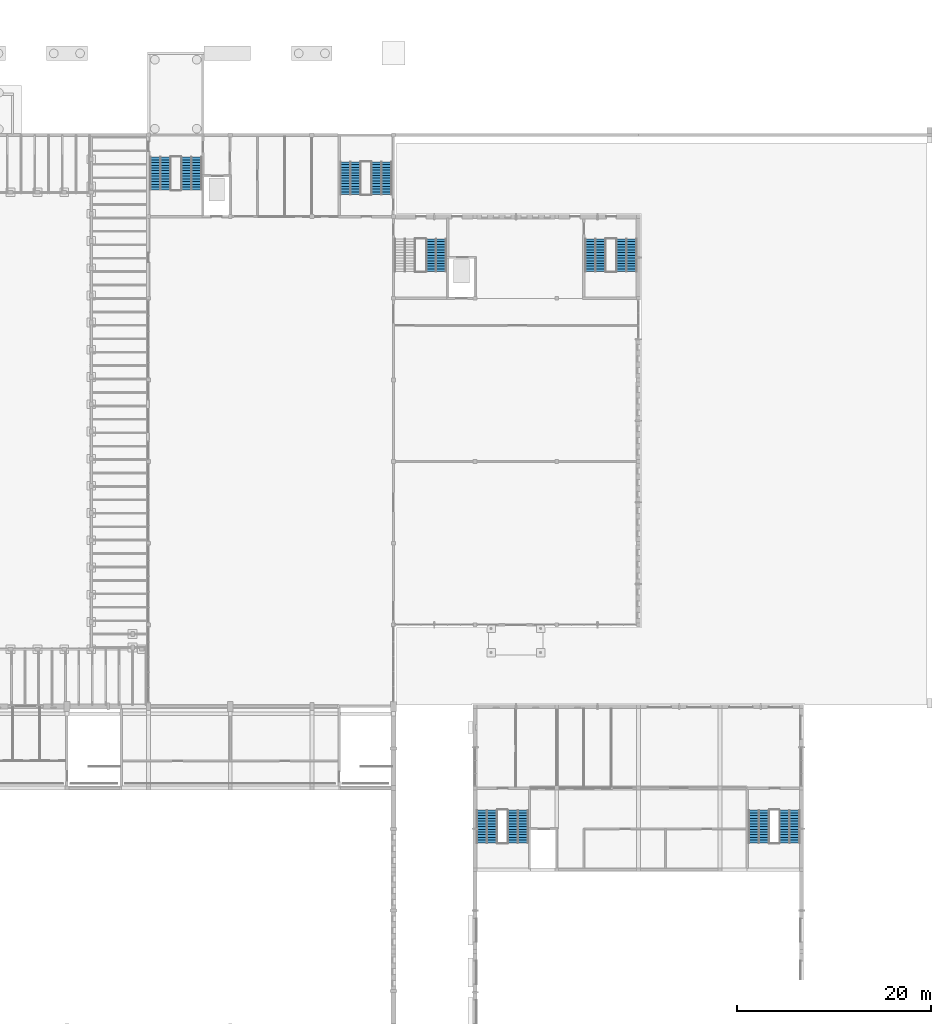
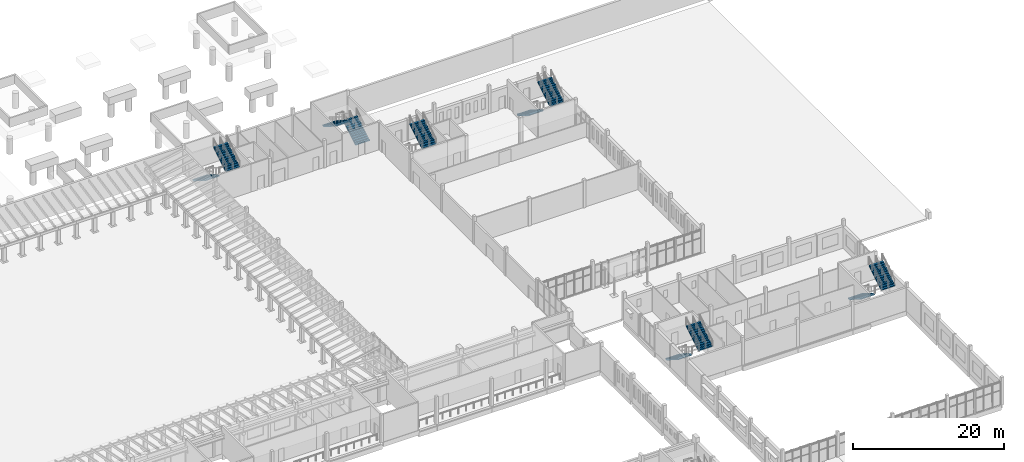
# One storey, part 50 of 60: 11 stair flights, 6 elements without a shape of their own.
"""IFC4 building model written with IfcOpenShell, lengths in metres."""

from ifc_helpers import new_model, si_unit, direction, frame, origin, place, context, subcontext, project, spatial, polyline, outline, extrude, material, type_object, element, aggregate, save


model = new_model("IFC4")

# Units and contexts
model_context = context("Model", 3, precision=1e-05, world=origin(), true_north=direction((0.0, 1.0)))
body_context = subcontext(model_context, "Body", "Model", "MODEL_VIEW")
ifc_project = project(units=[si_unit("LENGTHUNIT", "METRE"), si_unit("AREAUNIT", "SQUARE_METRE"), si_unit("VOLUMEUNIT", "CUBIC_METRE"), si_unit("PLANEANGLEUNIT", "RADIAN"), si_unit("MASSUNIT", "GRAM", prefix="KILO")], contexts=[model_context])

# Site, building, storey
site_placement = place(None, origin())
site = spatial("IfcSite", under=ifc_project, at=site_placement, CompositionType="ELEMENT")
building_placement = place(site_placement, origin())
building = spatial("IfcBuilding", under=site, at=building_placement, Name="Fescue Hill Polytechnic", CompositionType="ELEMENT")
storey_placement = place(building_placement, frame((0.0, 0.0, 4.5)))
storey = spatial("IfcBuildingStorey", under=building, at=storey_placement, Name="L01", CompositionType="ELEMENT", Elevation=4.5)

# Stair, stair flights
ifc_material = material(Name="Concrete 35 MPa", Category="concrete")
stair_type = type_object("IfcStairType", Name="Half-turn stair 2150 flights", PredefinedType="HALF_TURN_STAIR", material=ifc_material)
stair_1_placement = place(storey_placement, origin())
stair_1 = element("IfcStair", 1, at=stair_1_placement, inside=storey, type_object=stair_type, Name="L01 ST-V3-1 stair", PredefinedType="HALF_TURN_STAIR")
stair_flight_type = type_object("IfcStairFlightType", Name="Stair flight 2150 wide", PredefinedType="STRAIGHT", material=ifc_material)
stair_flight_1_placement = place(storey_placement, frame((127.22509765625, 39.72509765625, 0.0), z_axis=(0.0, 0.0, 1.0), x_axis=(0.0, -1.0, 0.0)))
stair_flight_1 = element("IfcStairFlight", 2, at=stair_flight_1_placement, type_object=stair_flight_type, Name="S11 flight 1", NumberOfRisers=13, NumberOfTreads=12, PredefinedType="STRAIGHT", RiserHeight=0.173076923, TreadLength=0.28, context=body_context, shape_type="SweptSolid", body=[
    extrude(outline(polyline([(0.0, 0.0), (0.0, 0.173095703125), (0.280029296875, 0.173095703125), (0.280029296875, 0.34619140625), (0.56005859375, 0.34619140625), (0.56005859375, 0.519287109375), (0.840087890625, 0.519287109375), (0.840087890625, 0.6923828125), (1.1201171875, 0.6923828125), (1.1201171875, 0.865478515625), (1.39990234375, 0.865478515625), (1.39990234375, 1.03857421875), (1.679931640625, 1.03857421875), (1.679931640625, 1.21142578125), (1.9599609375, 1.21142578125), (1.9599609375, 1.384521484375), (2.239990234375, 1.384521484375), (2.239990234375, 1.5576171875), (2.52001953125, 1.5576171875), (2.52001953125, 1.730712890625), (2.800048828125, 1.730712890625), (2.800048828125, 1.90380859375), (3.080078125, 1.90380859375), (3.080078125, 2.076904296875), (3.360107421875, 2.076904296875), (3.360107421875, 2.25), (3.360107421875, 1.900634765625), (0.28515625, 0.0), (0.0, 0.0)])), frame((0.0, 1.074951171875, 0.0), z_axis=(0.0, -1.0, 0.0), x_axis=(1.0, 0.0, 0.0)), (0.0, 0.0, 1.0), 2.14990234375),
])
stair_flight_2_placement = place(storey_placement, frame((130.39990234375, 36.364990234375, 2.25), z_axis=(0.0, 0.0, 1.0), x_axis=(0.0, 1.0, 0.0)))
stair_flight_2 = element("IfcStairFlight", 3, at=stair_flight_2_placement, type_object=stair_flight_type, Name="S11 flight 2", NumberOfRisers=13, NumberOfTreads=12, PredefinedType="STRAIGHT", RiserHeight=0.173076923, TreadLength=0.28, context=body_context, shape_type="SweptSolid", body=[
    extrude(outline(polyline([(0.0, 0.0), (0.0, 0.173095703125), (0.280029296875, 0.173095703125), (0.280029296875, 0.34619140625), (0.56005859375, 0.34619140625), (0.56005859375, 0.519287109375), (0.840087890625, 0.519287109375), (0.840087890625, 0.6923828125), (1.1201171875, 0.6923828125), (1.1201171875, 0.865478515625), (1.39990234375, 0.865478515625), (1.39990234375, 1.03857421875), (1.679931640625, 1.03857421875), (1.679931640625, 1.21142578125), (1.9599609375, 1.21142578125), (1.9599609375, 1.384521484375), (2.239990234375, 1.384521484375), (2.239990234375, 1.5576171875), (2.52001953125, 1.5576171875), (2.52001953125, 1.730712890625), (2.800048828125, 1.730712890625), (2.800048828125, 1.90380859375), (3.080078125, 1.90380859375), (3.080078125, 2.076904296875), (3.360107421875, 2.076904296875), (3.360107421875, 2.25), (3.360107421875, 1.900634765625), (0.28515625, 0.0), (0.0, 0.0)])), frame((0.0, 1.074951171875, 0.0), z_axis=(0.0, -1.0, 0.0), x_axis=(1.0, 0.0, 0.0)), (0.0, 0.0, 1.0), 2.14990234375),
])
aggregate(stair_1, [stair_flight_1, stair_flight_2])

stair_2_placement = place(storey_placement, origin())
stair_2 = element("IfcStair", 4, at=stair_2_placement, inside=storey, type_object=stair_type, Name="L01 ST-V3-2 stair", PredefinedType="HALF_TURN_STAIR")
stair_flight_3_placement = place(storey_placement, frame((155.199951171875, 39.72509765625, 0.0), z_axis=(0.0, 0.0, 1.0), x_axis=(0.0, -1.0, 0.0)))
stair_flight_3 = element("IfcStairFlight", 5, at=stair_flight_3_placement, type_object=stair_flight_type, Name="S12 flight 1", NumberOfRisers=13, NumberOfTreads=12, PredefinedType="STRAIGHT", RiserHeight=0.173076923, TreadLength=0.28, context=body_context, shape_type="SweptSolid", body=[
    extrude(outline(polyline([(0.0, 0.0), (0.0, 0.173095703125), (0.280029296875, 0.173095703125), (0.280029296875, 0.34619140625), (0.56005859375, 0.34619140625), (0.56005859375, 0.519287109375), (0.840087890625, 0.519287109375), (0.840087890625, 0.6923828125), (1.1201171875, 0.6923828125), (1.1201171875, 0.865478515625), (1.39990234375, 0.865478515625), (1.39990234375, 1.03857421875), (1.679931640625, 1.03857421875), (1.679931640625, 1.21142578125), (1.9599609375, 1.21142578125), (1.9599609375, 1.384521484375), (2.239990234375, 1.384521484375), (2.239990234375, 1.5576171875), (2.52001953125, 1.5576171875), (2.52001953125, 1.730712890625), (2.800048828125, 1.730712890625), (2.800048828125, 1.90380859375), (3.080078125, 1.90380859375), (3.080078125, 2.076904296875), (3.360107421875, 2.076904296875), (3.360107421875, 2.25), (3.360107421875, 1.900634765625), (0.28515625, 0.0), (0.0, 0.0)])), frame((0.0, 1.074951171875, 0.0), z_axis=(0.0, -1.0, 0.0), x_axis=(1.0, 0.0, 0.0)), (0.0, 0.0, 1.0), 2.14990234375),
])
stair_flight_4_placement = place(storey_placement, frame((158.375, 36.364990234375, 2.25), z_axis=(0.0, 0.0, 1.0), x_axis=(0.0, 1.0, 0.0)))
stair_flight_4 = element("IfcStairFlight", 6, at=stair_flight_4_placement, type_object=stair_flight_type, Name="S12 flight 2", NumberOfRisers=13, NumberOfTreads=12, PredefinedType="STRAIGHT", RiserHeight=0.173076923, TreadLength=0.28, context=body_context, shape_type="SweptSolid", body=[
    extrude(outline(polyline([(0.0, 0.0), (0.0, 0.173095703125), (0.280029296875, 0.173095703125), (0.280029296875, 0.34619140625), (0.56005859375, 0.34619140625), (0.56005859375, 0.519287109375), (0.840087890625, 0.519287109375), (0.840087890625, 0.6923828125), (1.1201171875, 0.6923828125), (1.1201171875, 0.865478515625), (1.39990234375, 0.865478515625), (1.39990234375, 1.03857421875), (1.679931640625, 1.03857421875), (1.679931640625, 1.21142578125), (1.9599609375, 1.21142578125), (1.9599609375, 1.384521484375), (2.239990234375, 1.384521484375), (2.239990234375, 1.5576171875), (2.52001953125, 1.5576171875), (2.52001953125, 1.730712890625), (2.800048828125, 1.730712890625), (2.800048828125, 1.90380859375), (3.080078125, 1.90380859375), (3.080078125, 2.076904296875), (3.360107421875, 2.076904296875), (3.360107421875, 2.25), (3.360107421875, 1.900634765625), (0.28515625, 0.0), (0.0, 0.0)])), frame((0.0, 1.074951171875, 0.0), z_axis=(0.0, -1.0, 0.0), x_axis=(1.0, 0.0, 0.0)), (0.0, 0.0, 1.0), 2.14990234375),
])
aggregate(stair_2, [stair_flight_3, stair_flight_4])

# Stair, stair flight
stair_3_placement = place(storey_placement, origin())
stair_3 = element("IfcStair", 7, at=stair_3_placement, inside=storey, type_object=stair_type, Name="L01 ST-V2-1 stair", PredefinedType="HALF_TURN_STAIR")
stair_flight_5_placement = place(storey_placement, frame((122.0, 95.139892578125, 2.25), z_axis=(0.0, 0.0, 1.0), x_axis=(0.0, 1.0, 0.0)))
stair_flight_5 = element("IfcStairFlight", 8, at=stair_flight_5_placement, type_object=stair_flight_type, Name="S13 flight 2", NumberOfRisers=13, NumberOfTreads=12, PredefinedType="STRAIGHT", RiserHeight=0.173076923, TreadLength=0.28, context=body_context, shape_type="SweptSolid", body=[
    extrude(outline(polyline([(0.0, 0.0), (0.0, 0.173095703125), (0.280029296875, 0.173095703125), (0.280029296875, 0.34619140625), (0.56005859375, 0.34619140625), (0.56005859375, 0.519287109375), (0.840087890625, 0.519287109375), (0.840087890625, 0.6923828125), (1.1201171875, 0.6923828125), (1.1201171875, 0.865478515625), (1.39990234375, 0.865478515625), (1.39990234375, 1.03857421875), (1.679931640625, 1.03857421875), (1.679931640625, 1.21142578125), (1.9599609375, 1.21142578125), (1.9599609375, 1.384521484375), (2.239990234375, 1.384521484375), (2.239990234375, 1.5576171875), (2.52001953125, 1.5576171875), (2.52001953125, 1.730712890625), (2.800048828125, 1.730712890625), (2.800048828125, 1.90380859375), (3.080078125, 1.90380859375), (3.080078125, 2.076904296875), (3.360107421875, 2.076904296875), (3.360107421875, 2.25), (3.360107421875, 1.900634765625), (0.28515625, 0.0), (0.0, 0.0)])), frame((0.0, 1.074951171875, 0.0), z_axis=(0.0, -1.0, 0.0), x_axis=(1.0, 0.0, 0.0)), (0.0, 0.0, 1.0), 2.14990234375),
])
aggregate(stair_3, [stair_flight_5])

# Stair, stair flights
stair_4_placement = place(storey_placement, origin())
stair_4 = element("IfcStair", 9, at=stair_4_placement, inside=storey, type_object=stair_type, Name="L01 ST-V2-2 stair", PredefinedType="HALF_TURN_STAIR")
stair_flight_6_placement = place(storey_placement, frame((138.39990234375, 98.5, 0.0), z_axis=(0.0, 0.0, 1.0), x_axis=(0.0, -1.0, 0.0)))
stair_flight_6 = element("IfcStairFlight", 10, at=stair_flight_6_placement, type_object=stair_flight_type, Name="S14 flight 1", NumberOfRisers=13, NumberOfTreads=12, PredefinedType="STRAIGHT", RiserHeight=0.173076923, TreadLength=0.28, context=body_context, shape_type="SweptSolid", body=[
    extrude(outline(polyline([(0.0, 0.0), (0.0, 0.173095703125), (0.280029296875, 0.173095703125), (0.280029296875, 0.34619140625), (0.56005859375, 0.34619140625), (0.56005859375, 0.519287109375), (0.840087890625, 0.519287109375), (0.840087890625, 0.6923828125), (1.1201171875, 0.6923828125), (1.1201171875, 0.865478515625), (1.39990234375, 0.865478515625), (1.39990234375, 1.03857421875), (1.679931640625, 1.03857421875), (1.679931640625, 1.21142578125), (1.9599609375, 1.21142578125), (1.9599609375, 1.384521484375), (2.239990234375, 1.384521484375), (2.239990234375, 1.5576171875), (2.52001953125, 1.5576171875), (2.52001953125, 1.730712890625), (2.800048828125, 1.730712890625), (2.800048828125, 1.90380859375), (3.080078125, 1.90380859375), (3.080078125, 2.076904296875), (3.360107421875, 2.076904296875), (3.360107421875, 2.25), (3.360107421875, 1.900634765625), (0.28515625, 0.0), (0.0, 0.0)])), frame((0.0, 1.074951171875, 0.0), z_axis=(0.0, -1.0, 0.0), x_axis=(1.0, 0.0, 0.0)), (0.0, 0.0, 1.0), 2.14990234375),
])
stair_flight_7_placement = place(storey_placement, frame((141.574951171875, 95.139892578125, 2.25), z_axis=(0.0, 0.0, 1.0), x_axis=(0.0, 1.0, 0.0)))
stair_flight_7 = element("IfcStairFlight", 11, at=stair_flight_7_placement, type_object=stair_flight_type, Name="S14 flight 2", NumberOfRisers=13, NumberOfTreads=12, PredefinedType="STRAIGHT", RiserHeight=0.173076923, TreadLength=0.28, context=body_context, shape_type="SweptSolid", body=[
    extrude(outline(polyline([(0.0, 0.0), (0.0, 0.173095703125), (0.280029296875, 0.173095703125), (0.280029296875, 0.34619140625), (0.56005859375, 0.34619140625), (0.56005859375, 0.519287109375), (0.840087890625, 0.519287109375), (0.840087890625, 0.6923828125), (1.1201171875, 0.6923828125), (1.1201171875, 0.865478515625), (1.39990234375, 0.865478515625), (1.39990234375, 1.03857421875), (1.679931640625, 1.03857421875), (1.679931640625, 1.21142578125), (1.9599609375, 1.21142578125), (1.9599609375, 1.384521484375), (2.239990234375, 1.384521484375), (2.239990234375, 1.5576171875), (2.52001953125, 1.5576171875), (2.52001953125, 1.730712890625), (2.800048828125, 1.730712890625), (2.800048828125, 1.90380859375), (3.080078125, 1.90380859375), (3.080078125, 2.076904296875), (3.360107421875, 2.076904296875), (3.360107421875, 2.25), (3.360107421875, 1.900634765625), (0.28515625, 0.0), (0.0, 0.0)])), frame((0.0, 1.074951171875, 0.0), z_axis=(0.0, -1.0, 0.0), x_axis=(1.0, 0.0, 0.0)), (0.0, 0.0, 1.0), 2.14990234375),
])
aggregate(stair_4, [stair_flight_6, stair_flight_7])

stair_5_placement = place(storey_placement, origin())
stair_5 = element("IfcStair", 12, at=stair_5_placement, inside=storey, type_object=stair_type, Name="L01 ST-V6-1 stair", PredefinedType="HALF_TURN_STAIR")
stair_flight_8_placement = place(storey_placement, frame((93.625, 106.925048828125, 0.0), z_axis=(0.0, 0.0, 1.0), x_axis=(0.0, -1.0, 0.0)))
stair_flight_8 = element("IfcStairFlight", 13, at=stair_flight_8_placement, type_object=stair_flight_type, Name="S26 flight 1", NumberOfRisers=13, NumberOfTreads=12, PredefinedType="STRAIGHT", RiserHeight=0.173076923, TreadLength=0.28, context=body_context, shape_type="SweptSolid", body=[
    extrude(outline(polyline([(0.0, 0.0), (0.0, 0.173095703125), (0.280029296875, 0.173095703125), (0.280029296875, 0.34619140625), (0.56005859375, 0.34619140625), (0.56005859375, 0.519287109375), (0.840087890625, 0.519287109375), (0.840087890625, 0.6923828125), (1.1201171875, 0.6923828125), (1.1201171875, 0.865478515625), (1.39990234375, 0.865478515625), (1.39990234375, 1.03857421875), (1.679931640625, 1.03857421875), (1.679931640625, 1.21142578125), (1.9599609375, 1.21142578125), (1.9599609375, 1.384521484375), (2.239990234375, 1.384521484375), (2.239990234375, 1.5576171875), (2.52001953125, 1.5576171875), (2.52001953125, 1.730712890625), (2.800048828125, 1.730712890625), (2.800048828125, 1.90380859375), (3.080078125, 1.90380859375), (3.080078125, 2.076904296875), (3.360107421875, 2.076904296875), (3.360107421875, 2.25), (3.360107421875, 1.900634765625), (0.28515625, 0.0), (0.0, 0.0)])), frame((0.0, 1.074951171875, 0.0), z_axis=(0.0, -1.0, 0.0), x_axis=(1.0, 0.0, 0.0)), (0.0, 0.0, 1.0), 2.14990234375),
])
stair_flight_9_placement = place(storey_placement, frame((96.800048828125, 103.56494140625, 2.25), z_axis=(0.0, 0.0, 1.0), x_axis=(0.0, 1.0, 0.0)))
stair_flight_9 = element("IfcStairFlight", 14, at=stair_flight_9_placement, type_object=stair_flight_type, Name="S26 flight 2", NumberOfRisers=13, NumberOfTreads=12, PredefinedType="STRAIGHT", RiserHeight=0.173076923, TreadLength=0.28, context=body_context, shape_type="SweptSolid", body=[
    extrude(outline(polyline([(0.0, 0.0), (0.0, 0.173095703125), (0.280029296875, 0.173095703125), (0.280029296875, 0.34619140625), (0.56005859375, 0.34619140625), (0.56005859375, 0.519287109375), (0.840087890625, 0.519287109375), (0.840087890625, 0.6923828125), (1.1201171875, 0.6923828125), (1.1201171875, 0.865478515625), (1.39990234375, 0.865478515625), (1.39990234375, 1.03857421875), (1.679931640625, 1.03857421875), (1.679931640625, 1.21142578125), (1.9599609375, 1.21142578125), (1.9599609375, 1.384521484375), (2.239990234375, 1.384521484375), (2.239990234375, 1.5576171875), (2.52001953125, 1.5576171875), (2.52001953125, 1.730712890625), (2.800048828125, 1.730712890625), (2.800048828125, 1.90380859375), (3.080078125, 1.90380859375), (3.080078125, 2.076904296875), (3.360107421875, 2.076904296875), (3.360107421875, 2.25), (3.360107421875, 1.900634765625), (0.28515625, 0.0), (0.0, 0.0)])), frame((0.0, 1.074951171875, 0.0), z_axis=(0.0, -1.0, 0.0), x_axis=(1.0, 0.0, 0.0)), (0.0, 0.0, 1.0), 2.14990234375),
])
aggregate(stair_5, [stair_flight_8, stair_flight_9])

stair_6_placement = place(storey_placement, origin())
stair_6 = element("IfcStair", 15, at=stair_6_placement, inside=storey, type_object=stair_type, Name="L01 ST-V6-2 stair", PredefinedType="HALF_TURN_STAIR")
stair_flight_10_placement = place(storey_placement, frame((116.375, 103.074951171875, 0.0), z_axis=(0.0, 0.0, 1.0), x_axis=(0.0, 1.0, 0.0)))
stair_flight_10 = element("IfcStairFlight", 16, at=stair_flight_10_placement, type_object=stair_flight_type, Name="S27 flight 1", NumberOfRisers=13, NumberOfTreads=12, PredefinedType="STRAIGHT", RiserHeight=0.173076923, TreadLength=0.28, context=body_context, shape_type="SweptSolid", body=[
    extrude(outline(polyline([(0.0, 0.0), (0.0, 0.173095703125), (0.280029296875, 0.173095703125), (0.280029296875, 0.34619140625), (0.56005859375, 0.34619140625), (0.56005859375, 0.519287109375), (0.840087890625, 0.519287109375), (0.840087890625, 0.6923828125), (1.1201171875, 0.6923828125), (1.1201171875, 0.865478515625), (1.39990234375, 0.865478515625), (1.39990234375, 1.03857421875), (1.679931640625, 1.03857421875), (1.679931640625, 1.21142578125), (1.9599609375, 1.21142578125), (1.9599609375, 1.384521484375), (2.239990234375, 1.384521484375), (2.239990234375, 1.5576171875), (2.52001953125, 1.5576171875), (2.52001953125, 1.730712890625), (2.800048828125, 1.730712890625), (2.800048828125, 1.90380859375), (3.080078125, 1.90380859375), (3.080078125, 2.076904296875), (3.360107421875, 2.076904296875), (3.360107421875, 2.25), (3.360107421875, 1.900634765625), (0.28515625, 0.0), (0.0, 0.0)])), frame((0.0, 1.074951171875, 0.0), z_axis=(0.0, -1.0, 0.0), x_axis=(1.0, 0.0, 0.0)), (0.0, 0.0, 1.0), 2.14990234375),
])
stair_flight_11_placement = place(storey_placement, frame((113.199951171875, 106.43505859375, 2.25), z_axis=(0.0, 0.0, 1.0), x_axis=(0.0, -1.0, 0.0)))
stair_flight_11 = element("IfcStairFlight", 17, at=stair_flight_11_placement, type_object=stair_flight_type, Name="S27 flight 2", NumberOfRisers=13, NumberOfTreads=12, PredefinedType="STRAIGHT", RiserHeight=0.173076923, TreadLength=0.28, context=body_context, shape_type="SweptSolid", body=[
    extrude(outline(polyline([(0.0, 0.0), (0.0, 0.173095703125), (0.280029296875, 0.173095703125), (0.280029296875, 0.34619140625), (0.56005859375, 0.34619140625), (0.56005859375, 0.519287109375), (0.840087890625, 0.519287109375), (0.840087890625, 0.6923828125), (1.1201171875, 0.6923828125), (1.1201171875, 0.865478515625), (1.39990234375, 0.865478515625), (1.39990234375, 1.03857421875), (1.679931640625, 1.03857421875), (1.679931640625, 1.21142578125), (1.9599609375, 1.21142578125), (1.9599609375, 1.384521484375), (2.239990234375, 1.384521484375), (2.239990234375, 1.5576171875), (2.52001953125, 1.5576171875), (2.52001953125, 1.730712890625), (2.800048828125, 1.730712890625), (2.800048828125, 1.90380859375), (3.080078125, 1.90380859375), (3.080078125, 2.076904296875), (3.360107421875, 2.076904296875), (3.360107421875, 2.25), (3.360107421875, 1.900634765625), (0.28515625, 0.0), (0.0, 0.0)])), frame((0.0, 1.074951171875, 0.0), z_axis=(0.0, -1.0, 0.0), x_axis=(1.0, 0.0, 0.0)), (0.0, 0.0, 1.0), 2.14990234375),
])
aggregate(stair_6, [stair_flight_10, stair_flight_11])

save(model, "model.ifc")
